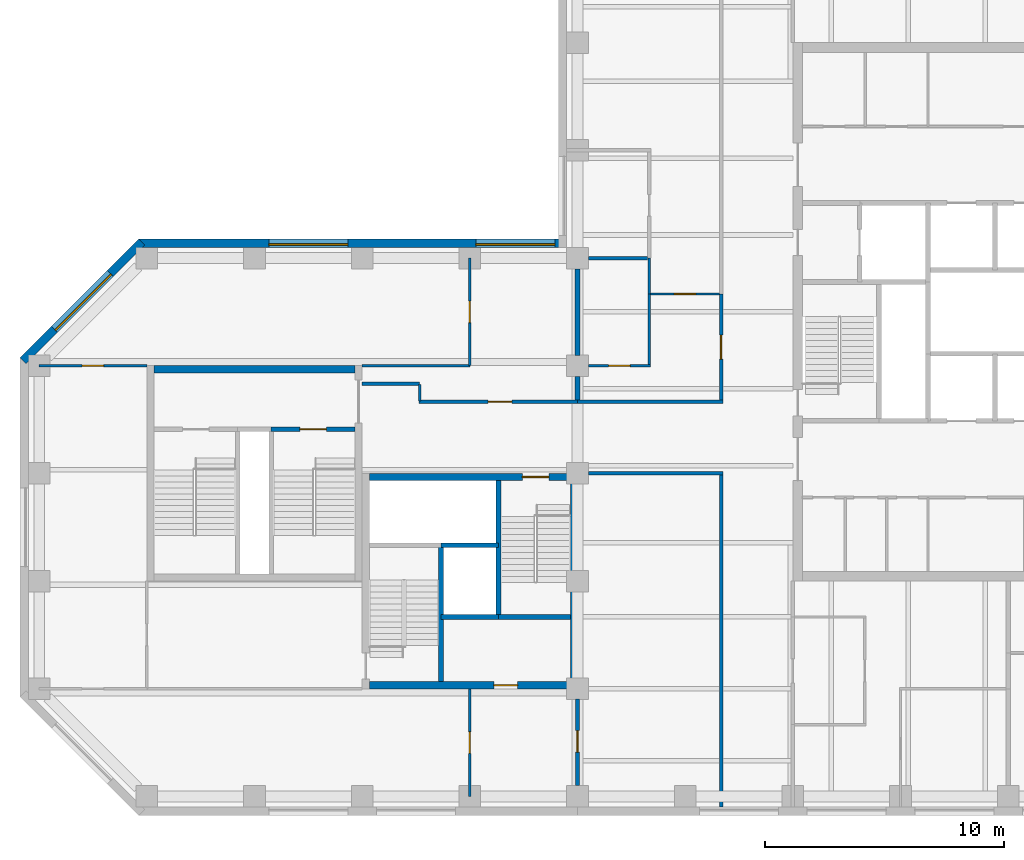
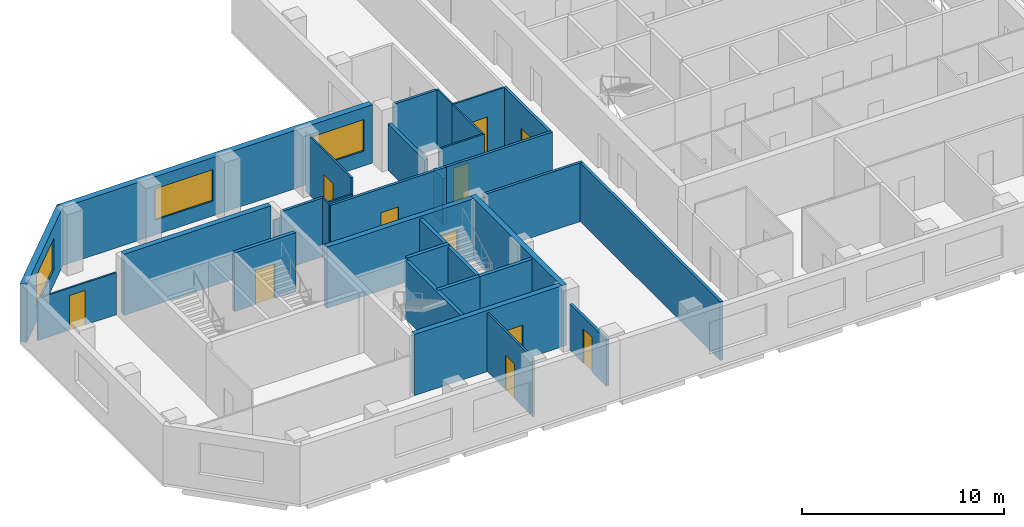
# One storey, part 3 of 10: 31 walls, 11 doors, 3 windows, 14 openings.
"""IFC4 building model written with IfcOpenShell, lengths in metres."""

from ifc_helpers import new_model, si_unit, direction, frame, frame_2d, origin, place, context, subcontext, project, spatial, rectangle, extrude, material, layer, layer_set, constituent, constituent_set, type_object, element, fill, save


model = new_model("IFC4")

# Units and contexts
model_context = context("Model", 3, precision=1e-05, world=origin(), true_north=direction((0.0, 1.0)))
body_context = subcontext(model_context, "Body", "Model", "MODEL_VIEW")
ifc_project = project(units=[si_unit("LENGTHUNIT", "METRE"), si_unit("AREAUNIT", "SQUARE_METRE"), si_unit("VOLUMEUNIT", "CUBIC_METRE"), si_unit("PLANEANGLEUNIT", "RADIAN"), si_unit("MASSUNIT", "GRAM", prefix="KILO")], contexts=[model_context])

# Site, building, storey
site_placement = place(None, origin())
site = spatial("IfcSite", under=ifc_project, at=site_placement, CompositionType="ELEMENT")
building_placement = place(site_placement, origin())
building = spatial("IfcBuilding", under=site, at=building_placement, Name="Quoin Convention Tower", CompositionType="ELEMENT")
storey_placement = place(building_placement, frame((0.0, 0.0, 192.10009765625)))
storey = spatial("IfcBuildingStorey", under=building, at=storey_placement, Name="L50", CompositionType="ELEMENT", Elevation=192.10009765625)

# Wall
ifc_material_1 = material(Name="Plasterboard")
ifc_layer_1 = layer(ifc_material_1, 0.012451171875, Name="Finish")
ifc_material_2 = material(Name="Steel stud framing", Category="steel")
ifc_layer_2 = layer(ifc_material_2, 0.125, Name="Structure")
ifc_layer_3 = layer(ifc_material_1, 0.012451171875, Name="Finish")
ifc_layer_set_1 = layer_set([ifc_layer_1, ifc_layer_2, ifc_layer_3], Name="Steel stud framing")
wall_type_1 = type_object("IfcWallType", Name="Acoustic partition 150", PredefinedType="PARTITIONING", material=ifc_layer_set_1)
wall_1_placement = place(storey_placement, frame((36.449951171875, 63.0, 0.0), z_axis=(0.0, 0.0, 1.0), x_axis=(1.0, 0.0, 0.0)))
element("IfcWall", 1, at=wall_1_placement, inside=storey, type_object=wall_type_1, Name="pw-L50-026", PredefinedType="PARTITIONING", context=body_context, shape_type="SweptSolid", body=[
    extrude(rectangle(XDim=2.47509765625, YDim=0.14990234375, at=frame_2d((1.237548828125, 0.0))), origin(), (0.0, 0.0, 1.0), 3.5498046875),
])

# Wall, openings, windows
ifc_material_3 = material(Name="Brick masonry", Category="masonry")
ifc_layer_4 = layer(ifc_material_3, 0.35009765625)
ifc_layer_set_2 = layer_set([ifc_layer_4], Name="Brick masonry")
wall_type_2 = type_object("IfcWallType", Name="Brick facade wall", PredefinedType="STANDARD", material=ifc_layer_set_2)
wall_2_placement = place(storey_placement, frame((35.550048828125, 63.625, 0.0), z_axis=(0.0, 0.0, 1.0), x_axis=(-1.0, 0.0, 0.0)))
wall_2 = element("IfcWall", 2, at=wall_2_placement, inside=storey, type_object=wall_type_2, Name="fw-L50-36000_63000", PredefinedType="STANDARD", context=body_context, shape_type="SweptSolid", body=[
    extrude(rectangle(XDim=17.88134765625, YDim=0.35009765625, at=frame_2d((8.940673828125, 0.0))), origin(), (0.0, 0.0, 1.0), 3.52490234375),
])
opening_1_placement = place(wall_2_placement, frame((0.5, 0.0, 0.89990234375)))
opening_1 = element("IfcOpeningElement", 3, at=opening_1_placement, cuts=wall_2, Name="Opening W-02", PredefinedType="OPENING", context=body_context, shape_type="SweptSolid", body=[
    extrude(rectangle(XDim=3.300048828125, YDim=1.89990234375, at=frame_2d((1.64990234375, 0.949951171875))), frame((0.0, 0.18505859375, 0.0), z_axis=(0.0, -1.0, 0.0), x_axis=(1.0, 0.0, 0.0)), (0.0, 0.0, 1.0), 0.3701171875),
])
opening_2_placement = place(wall_2_placement, frame((9.14990234375, 0.0, 0.89990234375)))
opening_2 = element("IfcOpeningElement", 4, at=opening_2_placement, cuts=wall_2, Name="Opening W-02", PredefinedType="OPENING", context=body_context, shape_type="SweptSolid", body=[
    extrude(rectangle(XDim=3.300048828125, YDim=1.89990234375, at=frame_2d((1.64990234375, 0.949951171875))), frame((0.0, 0.18505859375, 0.0), z_axis=(0.0, -1.0, 0.0), x_axis=(1.0, 0.0, 0.0)), (0.0, 0.0, 1.0), 0.3701171875),
])
ifc_material_4 = material(Name="Aluminium", Category="aluminium")
ifc_constituent_1 = constituent(ifc_material_4, Name="Frame")
ifc_material_5 = material(Name="Insulated glass", Category="glass")
ifc_constituent_2 = constituent(ifc_material_5, Name="Glazing")
ifc_constituent_set = constituent_set(constituents=[ifc_constituent_1, ifc_constituent_2], Name="Aluminium")
window_type = type_object("IfcWindowType", Name="Office window", PartitioningType="DOUBLE_PANEL_VERTICAL", PredefinedType="WINDOW", material=ifc_constituent_set)
window_1_placement = place(opening_1_placement, origin())
window_1 = element("IfcWindow", 5, at=window_1_placement, inside=storey, type_object=window_type, Name="win-L50-33750_63625", OverallHeight=1.89990234375, OverallWidth=3.300048828125, PartitioningType="SINGLE_PANEL", PredefinedType="WINDOW", context=body_context, shape_type="SweptSolid", body=[
    extrude(rectangle(XDim=3.300048828125, YDim=1.89990234375, at=frame_2d((1.64990234375, 0.949951171875))), frame((0.0, 0.0849609375, 0.0), z_axis=(0.0, -1.0, 0.0), x_axis=(1.0, 0.0, 0.0)), (0.0, 0.0, 1.0), 0.06005859375),
])
fill(opening_1, window_1)
window_2_placement = place(opening_2_placement, origin())
window_2 = element("IfcWindow", 6, at=window_2_placement, inside=storey, type_object=window_type, Name="win-L50-24750_63625", OverallHeight=1.89990234375, OverallWidth=3.300048828125, PartitioningType="SINGLE_PANEL", PredefinedType="WINDOW", context=body_context, shape_type="SweptSolid", body=[
    extrude(rectangle(XDim=3.300048828125, YDim=1.89990234375, at=frame_2d((1.64990234375, 0.949951171875))), frame((0.0, 0.0849609375, 0.0), z_axis=(0.0, -1.0, 0.0), x_axis=(1.0, 0.0, 0.0)), (0.0, 0.0, 1.0), 0.06005859375),
])
fill(opening_2, window_2)

# Wall, opening, window
wall_3_placement = place(storey_placement, frame((17.79248046875, 63.67626953125, 0.0), z_axis=(0.0, 0.0, 1.0), x_axis=(-0.707106781187, -0.707106781187, 0.0)))
wall_3 = element("IfcWall", 7, at=wall_3_placement, inside=storey, type_object=wall_type_2, Name="fw-L50-18000_63000", PredefinedType="STANDARD", context=body_context, shape_type="SweptSolid", body=[
    extrude(rectangle(XDim=7.02685546875, YDim=0.35009765625, at=frame_2d((3.513427734375, 0.0))), origin(), (0.0, 0.0, 1.0), 3.52490234375),
])
opening_3_placement = place(wall_3_placement, frame((1.86328125, 0.0, 0.89990234375)))
opening_3 = element("IfcOpeningElement", 8, at=opening_3_placement, cuts=wall_3, Name="Opening W-02", PredefinedType="OPENING", context=body_context, shape_type="SweptSolid", body=[
    extrude(rectangle(XDim=3.300048828125, YDim=1.89990234375, at=frame_2d((1.64990234375, 0.949951171875))), frame((0.0, 0.18505859375, 0.0), z_axis=(0.0, -1.0, 0.0), x_axis=(1.0, 0.0, 0.0)), (0.0, 0.0, 1.0), 0.3701171875),
])
window_3_placement = place(opening_3_placement, origin())
window_3 = element("IfcWindow", 9, at=window_3_placement, inside=storey, type_object=window_type, Name="win-L50-15308_61192", OverallHeight=1.89990234375, OverallWidth=3.300048828125, PartitioningType="SINGLE_PANEL", PredefinedType="WINDOW", context=body_context, shape_type="SweptSolid", body=[
    extrude(rectangle(XDim=3.300048828125, YDim=1.89990234375, at=frame_2d((1.64990234375, 0.949951171875))), frame((0.0, 0.0849609375, 0.0), z_axis=(0.0, -1.0, 0.0), x_axis=(1.0, 0.0, 0.0)), (0.0, 0.0, 1.0), 0.06005859375),
])
fill(opening_3, window_3)

# Walls
ifc_material_6 = material(Name="Concrete C50", Category="concrete")
ifc_layer_5 = layer(ifc_material_6, 0.199951171875)
ifc_layer_set_3 = layer_set([ifc_layer_5], Name="Concrete C50")
wall_type_3 = type_object("IfcWallType", Name="Core shaft wall", PredefinedType="SOLIDWALL", material=ifc_layer_set_3)
wall_4_placement = place(storey_placement, frame((30.300048828125, 48.0, 0.0), z_axis=(0.0, 0.0, 1.0), x_axis=(1.0, 0.0, 0.0)))
element("IfcWall", 10, at=wall_4_placement, inside=storey, type_object=wall_type_3, Name="cr-P2-L50-h3000_3300", PredefinedType="SOLIDWALL", context=body_context, shape_type="SweptSolid", body=[
    extrude(rectangle(XDim=2.39990234375, YDim=0.199951171875, at=frame_2d((1.199951171875, 0.0))), origin(), (0.0, 0.0, 1.0), 3.5498046875),
])
wall_5_placement = place(storey_placement, frame((32.699951171875, 48.0, 0.0), z_axis=(0.0, 0.0, 1.0), x_axis=(1.0, 0.0, 0.0)))
element("IfcWall", 11, at=wall_5_placement, inside=storey, type_object=wall_type_3, Name="cr-P2-L50-h3000_5700", PredefinedType="SOLIDWALL", context=body_context, shape_type="SweptSolid", body=[
    extrude(rectangle(XDim=3.0, YDim=0.199951171875, at=frame_2d((1.5, 0.0))), origin(), (0.0, 0.0, 1.0), 3.5498046875),
])
for number, where, z_axis, x_axis, name in (
    (12, (30.300048828125, 45.300048828125, 0.0), (0.0, 0.0, 1.0), (0.0, 1.0, 0.0), "cr-P2-L50-v3300_300"),
    (13, (32.699951171875, 48.0, 0.0), (0.0, 0.0, 1.0), (0.0, 1.0, 0.0), "cr-P2-L50-v5700_3000"),
):
    element("IfcWall", number, at=place(storey_placement, frame(where, z_axis=z_axis, x_axis=x_axis)), inside=storey, type_object=wall_type_3, Name=name, PredefinedType="SOLIDWALL", context=body_context, shape_type="SweptSolid", body=[
        extrude(rectangle(XDim=5.699951171875, YDim=0.199951171875, at=frame_2d((2.85009765625, 0.0))), origin(), (0.0, 0.0, 1.0), 3.5498046875),
    ])

# Wall, opening, door
wall_6_placement = place(storey_placement, frame((23.199951171875, 55.85009765625, 0.0), z_axis=(0.0, 0.0, 1.0), x_axis=(1.0, 0.0, 0.0)))
wall_6 = element("IfcWall", 14, at=wall_6_placement, inside=storey, type_object=wall_type_3, Name="cr-P6-L50-h6350_5200", PredefinedType="SOLIDWALL", context=body_context, shape_type="SweptSolid", body=[
    extrude(rectangle(XDim=3.5, YDim=0.199951171875, at=frame_2d((1.75, 0.0))), origin(), (0.0, 0.0, 1.0), 3.5498046875),
])
opening_4_placement = place(wall_6_placement, frame((1.199951171875, 0.0, 0.0)))
opening_4 = element("IfcOpeningElement", 15, at=opening_4_placement, cuts=wall_6, Name="Opening SD12", PredefinedType="OPENING", context=body_context, shape_type="SweptSolid", body=[
    extrude(rectangle(XDim=1.10009765625, YDim=2.10009765625, at=frame_2d((0.550048828125, 1.050048828125))), frame((0.0, 0.10986328125, 0.0), z_axis=(0.0, -1.0, 0.0), x_axis=(1.0, 0.0, 0.0)), (0.0, 0.0, 1.0), 0.219970703125),
])
ifc_material_7 = material(Name="Steel door leaf", Category="steel")
door_type_1 = type_object("IfcDoorType", Name="Stair door 1100 x 2100", OperationType="SINGLE_SWING_RIGHT", PredefinedType="DOOR", material=ifc_material_7)
door_1_placement = place(opening_4_placement, origin())
door_1 = element("IfcDoor", 16, at=door_1_placement, inside=storey, type_object=door_type_1, Name="cd-P6-L50-SB-R2-SD12", OperationType="SINGLE_SWING_RIGHT", OverallHeight=2.10009765625, OverallWidth=1.10009765625, PredefinedType="DOOR", context=body_context, shape_type="SweptSolid", body=[
    extrude(rectangle(XDim=1.10009765625, YDim=2.10009765625, at=frame_2d((0.550048828125, 1.050048828125))), frame((0.0, 0.02490234375, 0.0), z_axis=(0.0, -1.0, 0.0), x_axis=(1.0, 0.0, 0.0)), (0.0, 0.0, 1.0), 0.050048828125),
])
fill(opening_4, door_1)

# Walls
ifc_layer_6 = layer(ifc_material_6, 0.199951171875)
ifc_layer_set_4 = layer_set([ifc_layer_6], Name="Concrete C50")
wall_type_4 = type_object("IfcWallType", Name="Core shaft wall to the floor level over", PredefinedType="SOLIDWALL", material=ifc_layer_set_4)
wall_7_placement = place(storey_placement, frame((30.300048828125, 51.0, 0.0), z_axis=(0.0, 0.0, 1.0), x_axis=(1.0, 0.0, 0.0)))
element("IfcWall", 17, at=wall_7_placement, inside=storey, type_object=wall_type_4, Name="cr-P2-L50-h6000_3300", PredefinedType="SOLIDWALL", context=body_context, shape_type="SweptSolid", body=[
    extrude(rectangle(XDim=2.39990234375, YDim=0.199951171875, at=frame_2d((1.199951171875, 0.0))), origin(), (0.0, 0.0, 1.0), 3.699951171875),
])
ifc_layer_7 = layer(ifc_material_1, 0.012451171875, Name="Finish")
ifc_layer_8 = layer(ifc_material_2, 0.125, Name="Structure")
ifc_layer_9 = layer(ifc_material_1, 0.012451171875, Name="Finish")
ifc_layer_set_5 = layer_set([ifc_layer_7, ifc_layer_8, ifc_layer_9], Name="Steel stud framing")
wall_type_5 = type_object("IfcWallType", Name="Corridor wall 150", PredefinedType="PARTITIONING", material=ifc_layer_set_5)
wall_8_placement = place(storey_placement, frame((36.449951171875, 54.0, 0.0), z_axis=(0.0, 0.0, 1.0), x_axis=(1.0, 0.0, 0.0)))
element("IfcWall", 18, at=wall_8_placement, inside=storey, type_object=wall_type_5, Name="pw-L50-017", PredefinedType="PARTITIONING", context=body_context, shape_type="SweptSolid", body=[
    extrude(rectangle(XDim=5.625, YDim=0.14990234375, at=frame_2d((2.8125, 0.0))), origin(), (0.0, 0.0, 1.0), 3.5498046875),
])

# Wall, opening, door
wall_9_placement = place(storey_placement, frame((29.3798828125, 57.0, 0.0), z_axis=(0.0, 0.0, 1.0), x_axis=(1.0, 0.0, 0.0)))
wall_9 = element("IfcWall", 19, at=wall_9_placement, inside=storey, type_object=wall_type_5, Name="pw-L50-020", PredefinedType="PARTITIONING", context=body_context, shape_type="SweptSolid", body=[
    extrude(rectangle(XDim=6.6201171875, YDim=0.14990234375, at=frame_2d((3.31005859375, 0.0))), origin(), (0.0, 0.0, 1.0), 3.5498046875),
])
opening_5_placement = place(wall_9_placement, frame((2.8798828125, 0.0, 0.0)))
opening_5 = element("IfcOpeningElement", 20, at=opening_5_placement, cuts=wall_9, Name="Opening DOH7-06", PredefinedType="OPENING", context=body_context, shape_type="SweptSolid", body=[
    extrude(rectangle(XDim=1.0, YDim=2.10009765625, at=frame_2d((0.5, 1.050048828125))), frame((0.0, 0.0849609375, 0.0), z_axis=(0.0, -1.0, 0.0), x_axis=(1.0, 0.0, 0.0)), (0.0, 0.0, 1.0), 0.169921875),
])
door_type_2 = type_object("IfcDoorType", Name="Tenancy entrance door 1000 x 2100", OperationType="DOUBLE_DOOR_SINGLE_SWING", PredefinedType="DOOR", material=ifc_material_7)
door_2_placement = place(opening_5_placement, origin())
door_2 = element("IfcDoor", 21, at=door_2_placement, inside=storey, type_object=door_type_2, Name="dr-L50-w01", OperationType="DOUBLE_DOOR_SINGLE_SWING", OverallHeight=2.10009765625, OverallWidth=1.0, PredefinedType="DOOR", context=body_context, shape_type="SweptSolid", body=[
    extrude(rectangle(XDim=1.0, YDim=2.10009765625, at=frame_2d((0.5, 1.050048828125))), frame((0.0, 0.02490234375, 0.0), z_axis=(0.0, -1.0, 0.0), x_axis=(1.0, 0.0, 0.0)), (0.0, 0.0, 1.0), 0.050048828125),
])
fill(opening_5, door_2)

# Walls
wall_10_placement = place(storey_placement, frame((36.0, 57.0, 0.0), z_axis=(0.0, 0.0, 1.0), x_axis=(1.0, 0.0, 0.0)))
element("IfcWall", 22, at=wall_10_placement, inside=storey, type_object=wall_type_5, Name="pw-L50-021", PredefinedType="PARTITIONING", context=body_context, shape_type="SweptSolid", body=[
    extrude(rectangle(XDim=6.074951171875, YDim=0.14990234375, at=frame_2d((3.03759765625, 0.0))), origin(), (0.0, 0.0, 1.0), 3.5498046875),
])
wall_11_placement = place(storey_placement, frame((42.0, 40.050048828125, 0.0), z_axis=(0.0, 0.0, 1.0), x_axis=(0.0, 1.0, 0.0)))
element("IfcWall", 23, at=wall_11_placement, inside=storey, type_object=wall_type_5, Name="pw-L50-039", PredefinedType="PARTITIONING", context=body_context, shape_type="SweptSolid", body=[
    extrude(rectangle(XDim=13.875, YDim=0.14990234375, at=frame_2d((6.9375, 0.0))), origin(), (0.0, 0.0, 1.0), 3.5498046875),
])

# Wall, opening, door
wall_12_placement = place(storey_placement, frame((42.0, 57.074951171875, 0.0), z_axis=(0.0, 0.0, 1.0), x_axis=(0.0, 1.0, 0.0)))
wall_12 = element("IfcWall", 24, at=wall_12_placement, inside=storey, type_object=wall_type_5, Name="pw-L50-068", PredefinedType="PARTITIONING", context=body_context, shape_type="SweptSolid", body=[
    extrude(rectangle(XDim=4.425048828125, YDim=0.14990234375, at=frame_2d((2.21240234375, 0.0))), origin(), (0.0, 0.0, 1.0), 3.5498046875),
])
opening_6_placement = place(wall_12_placement, frame((1.699951171875, 0.0, 0.0)))
opening_6 = element("IfcOpeningElement", 25, at=opening_6_placement, cuts=wall_12, Name="Opening DOH7-21", PredefinedType="OPENING", context=body_context, shape_type="SweptSolid", body=[
    extrude(rectangle(XDim=1.0, YDim=2.10009765625, at=frame_2d((0.5, 1.050048828125))), frame((0.0, 0.0849609375, 0.0), z_axis=(0.0, -1.0, 0.0), x_axis=(1.0, 0.0, 0.0)), (0.0, 0.0, 1.0), 0.169921875),
])
door_3_placement = place(opening_6_placement, origin())
door_3 = element("IfcDoor", 26, at=door_3_placement, inside=storey, type_object=door_type_2, Name="dr-L50-07", OperationType="DOUBLE_DOOR_SINGLE_SWING", OverallHeight=2.10009765625, OverallWidth=1.0, PredefinedType="DOOR", context=body_context, shape_type="SweptSolid", body=[
    extrude(rectangle(XDim=1.0, YDim=2.10009765625, at=frame_2d((0.5, 1.050048828125))), frame((0.0, 0.02490234375, 0.0), z_axis=(0.0, -1.0, 0.0), x_axis=(1.0, 0.0, 0.0)), (0.0, 0.0, 1.0), 0.050048828125),
])
fill(opening_6, door_3)

# Wall
wall_13_placement = place(storey_placement, frame((27.0, 57.75, 0.0), z_axis=(0.0, 0.0, 1.0), x_axis=(1.0, 0.0, 0.0)))
element("IfcWall", 27, at=wall_13_placement, inside=storey, type_object=wall_type_5, Name="pw-L50-w08", PredefinedType="PARTITIONING", context=body_context, shape_type="SweptSolid", body=[
    extrude(rectangle(XDim=2.39990234375, YDim=0.14990234375, at=frame_2d((1.199951171875, 0.0))), origin(), (0.0, 0.0, 1.0), 3.5498046875),
])

# Wall, opening, door
ifc_layer_10 = layer(ifc_material_1, 0.012451171875, Name="Finish")
ifc_layer_11 = layer(ifc_material_2, 0.125, Name="Structure")
ifc_layer_12 = layer(ifc_material_1, 0.012451171875, Name="Finish")
ifc_layer_set_6 = layer_set([ifc_layer_10, ifc_layer_11, ifc_layer_12], Name="Steel stud framing")
wall_type_6 = type_object("IfcWallType", Name="Corridor wall 150 under beam 750", PredefinedType="PARTITIONING", material=ifc_layer_set_6)
wall_14_placement = place(storey_placement, frame((36.0, 40.949951171875, 0.0), z_axis=(0.0, 0.0, 1.0), x_axis=(0.0, 1.0, 0.0)))
wall_14 = element("IfcWall", 28, at=wall_14_placement, inside=storey, type_object=wall_type_6, Name="pw-L50-047", PredefinedType="PARTITIONING", context=body_context, shape_type="SweptSolid", body=[
    extrude(rectangle(XDim=3.630126953125, YDim=0.14990234375, at=frame_2d((1.81494140625, 0.0))), origin(), (0.0, 0.0, 1.0), 2.7998046875),
])
opening_7_placement = place(wall_14_placement, frame((1.39990234375, 0.0, 0.0)))
opening_7 = element("IfcOpeningElement", 29, at=opening_7_placement, cuts=wall_14, Name="Opening DOH7-14", PredefinedType="OPENING", context=body_context, shape_type="SweptSolid", body=[
    extrude(rectangle(XDim=0.89990234375, YDim=2.10009765625, at=frame_2d((0.449951171875, 1.050048828125))), frame((0.0, 0.0849609375, 0.0), z_axis=(0.0, -1.0, 0.0), x_axis=(1.0, 0.0, 0.0)), (0.0, 0.0, 1.0), 0.169921875),
])
door_type_3 = type_object("IfcDoorType", Name="Office door 900 x 2100", OperationType="SINGLE_SWING_RIGHT", PredefinedType="DOOR", material=ifc_material_7)
door_4_placement = place(opening_7_placement, frame((0.89990234375, 0.0, 0.0), z_axis=(0.0, 0.0, 1.0), x_axis=(-1.0, 0.0, 0.0)))
door_4 = element("IfcDoor", 30, at=door_4_placement, inside=storey, type_object=door_type_3, Name="dr-L50-01", OperationType="SINGLE_SWING_LEFT", OverallHeight=2.10009765625, OverallWidth=0.89990234375, PredefinedType="DOOR", context=body_context, shape_type="SweptSolid", body=[
    extrude(rectangle(XDim=0.89990234375, YDim=2.10009765625, at=frame_2d((0.449951171875, 1.050048828125))), frame((0.0, 0.02490234375, 0.0), z_axis=(0.0, -1.0, 0.0), x_axis=(1.0, 0.0, 0.0)), (0.0, 0.0, 1.0), 0.050048828125),
])
fill(opening_7, door_4)

ifc_layer_13 = layer(ifc_material_6, 0.300048828125)
ifc_layer_set_7 = layer_set([ifc_layer_13], Name="Concrete C50")
wall_type_7 = type_object("IfcWallType", Name="RC CORE WALL 300 C50", PredefinedType="SHEAR", material=ifc_layer_set_7)
wall_15_placement = place(storey_placement, frame((27.300048828125, 45.14990234375, 0.0), z_axis=(0.0, 0.0, 1.0), x_axis=(1.0, 0.0, 0.0)))
wall_15 = element("IfcWall", 31, at=wall_15_placement, inside=storey, type_object=wall_type_7, Name="cwl-P2-L50-S", PredefinedType="SHEAR", context=body_context, shape_type="SweptSolid", body=[
    extrude(rectangle(XDim=8.39990234375, YDim=0.300048828125, at=frame_2d((4.199951171875, 0.0))), origin(), (0.0, 0.0, 1.0), 3.699951171875),
])
opening_8_placement = place(wall_15_placement, frame((5.199951171875, 0.0, 0.0)))
opening_8 = element("IfcOpeningElement", 32, at=opening_8_placement, cuts=wall_15, Name="Opening DCV5-51", PredefinedType="OPENING", context=body_context, shape_type="SweptSolid", body=[
    extrude(rectangle(XDim=1.0, YDim=2.10009765625, at=frame_2d((0.5, 1.050048828125))), frame((0.0, 0.159912109375, 0.0), z_axis=(0.0, -1.0, 0.0), x_axis=(1.0, 0.0, 0.0)), (0.0, 0.0, 1.0), 0.320068359375),
])
door_type_4 = type_object("IfcDoorType", Name="Service door 1000 x 2100", OperationType="SINGLE_SWING_LEFT", PredefinedType="DOOR", material=ifc_material_7)
door_5_placement = place(opening_8_placement, frame((1.0, 0.0, 0.0), z_axis=(0.0, 0.0, 1.0), x_axis=(-1.0, 0.0, 0.0)))
door_5 = element("IfcDoor", 33, at=door_5_placement, inside=storey, type_object=door_type_4, Name="cd-P2-L50-R2-S", OperationType="SINGLE_SWING_RIGHT", OverallHeight=2.10009765625, OverallWidth=1.0, PredefinedType="DOOR", context=body_context, shape_type="SweptSolid", body=[
    extrude(rectangle(XDim=1.0, YDim=2.10009765625, at=frame_2d((0.5, 1.050048828125))), frame((0.0, 0.02490234375, 0.0), z_axis=(0.0, -1.0, 0.0), x_axis=(1.0, 0.0, 0.0)), (0.0, 0.0, 1.0), 0.050048828125),
])
fill(opening_8, door_5)

wall_16_placement = place(storey_placement, frame((27.300048828125, 53.85009765625, 0.0), z_axis=(0.0, 0.0, 1.0), x_axis=(1.0, 0.0, 0.0)))
wall_16 = element("IfcWall", 34, at=wall_16_placement, inside=storey, type_object=wall_type_7, Name="cwl-P2-L50-N", PredefinedType="SHEAR", context=body_context, shape_type="SweptSolid", body=[
    extrude(rectangle(XDim=8.39990234375, YDim=0.300048828125, at=frame_2d((4.199951171875, 0.0))), origin(), (0.0, 0.0, 1.0), 3.699951171875),
])
opening_9_placement = place(wall_16_placement, frame((6.39990234375, 0.0, 0.0)))
opening_9 = element("IfcOpeningElement", 35, at=opening_9_placement, cuts=wall_16, Name="Opening SD4", PredefinedType="OPENING", context=body_context, shape_type="SweptSolid", body=[
    extrude(rectangle(XDim=1.10009765625, YDim=2.10009765625, at=frame_2d((0.550048828125, 1.050048828125))), frame((0.0, 0.159912109375, 0.0), z_axis=(0.0, -1.0, 0.0), x_axis=(1.0, 0.0, 0.0)), (0.0, 0.0, 1.0), 0.320068359375),
])
door_6_placement = place(opening_9_placement, frame((1.10009765625, 0.0, 0.0), z_axis=(0.0, 0.0, 1.0), x_axis=(-1.0, 0.0, 0.0)))
door_6 = element("IfcDoor", 36, at=door_6_placement, inside=storey, type_object=door_type_1, Name="cd-P2-L50-SB-N", OperationType="SINGLE_SWING_LEFT", OverallHeight=2.10009765625, OverallWidth=1.10009765625, PredefinedType="DOOR", context=body_context, shape_type="SweptSolid", body=[
    extrude(rectangle(XDim=1.10009765625, YDim=2.10009765625, at=frame_2d((0.550048828125, 1.050048828125))), frame((0.0, 0.02490234375, 0.0), z_axis=(0.0, -1.0, 0.0), x_axis=(1.0, 0.0, 0.0)), (0.0, 0.0, 1.0), 0.050048828125),
])
fill(opening_9, door_6)

# Walls
wall_17_placement = place(storey_placement, frame((35.85009765625, 45.0, 0.0), z_axis=(0.0, 0.0, 1.0), x_axis=(0.0, 1.0, 0.0)))
element("IfcWall", 37, at=wall_17_placement, inside=storey, type_object=wall_type_7, Name="cwl-P2-L50-E", PredefinedType="SHEAR", context=body_context, shape_type="SweptSolid", body=[
    extrude(rectangle(XDim=9.0, YDim=0.300048828125, at=frame_2d((4.5, 0.0))), origin(), (0.0, 0.0, 1.0), 3.699951171875),
])
wall_18_placement = place(storey_placement, frame((18.300048828125, 58.35009765625, 0.0), z_axis=(0.0, 0.0, 1.0), x_axis=(1.0, 0.0, 0.0)))
element("IfcWall", 38, at=wall_18_placement, inside=storey, type_object=wall_type_7, Name="cwl-P6-L50-N", PredefinedType="SHEAR", context=body_context, shape_type="SweptSolid", body=[
    extrude(rectangle(XDim=8.39990234375, YDim=0.300048828125, at=frame_2d((4.199951171875, 0.0))), origin(), (0.0, 0.0, 1.0), 3.699951171875),
])

# Wall, opening, door
ifc_layer_14 = layer(ifc_material_1, 0.012451171875, Name="Finish")
ifc_layer_15 = layer(ifc_material_2, 0.074951171875, Name="Structure")
ifc_layer_16 = layer(ifc_material_1, 0.012451171875, Name="Finish")
ifc_layer_set_8 = layer_set([ifc_layer_14, ifc_layer_15, ifc_layer_16], Name="Steel stud framing")
wall_type_8 = type_object("IfcWallType", Name="Stud partition 100", PredefinedType="PARTITIONING", material=ifc_layer_set_8)
wall_19_placement = place(storey_placement, frame((36.449951171875, 58.5, 0.0), z_axis=(0.0, 0.0, 1.0), x_axis=(1.0, 0.0, 0.0)))
wall_19 = element("IfcWall", 39, at=wall_19_placement, inside=storey, type_object=wall_type_8, Name="pw-L50-022", PredefinedType="PARTITIONING", context=body_context, shape_type="SweptSolid", body=[
    extrude(rectangle(XDim=2.60009765625, YDim=0.10009765625, at=frame_2d((1.300048828125, 0.0))), origin(), (0.0, 0.0, 1.0), 3.5498046875),
])
opening_10_placement = place(wall_19_placement, frame((0.85009765625, 0.0, 0.0)))
opening_10 = element("IfcOpeningElement", 40, at=opening_10_placement, cuts=wall_19, Name="Opening DOH7-07", PredefinedType="OPENING", context=body_context, shape_type="SweptSolid", body=[
    extrude(rectangle(XDim=0.89990234375, YDim=2.10009765625, at=frame_2d((0.449951171875, 1.050048828125))), frame((0.0, 0.06005859375, 0.0), z_axis=(0.0, -1.0, 0.0), x_axis=(1.0, 0.0, 0.0)), (0.0, 0.0, 1.0), 0.1201171875),
])
door_7_placement = place(opening_10_placement, frame((0.89990234375, 0.0, 0.0), z_axis=(0.0, 0.0, 1.0), x_axis=(-1.0, 0.0, 0.0)))
door_7 = element("IfcDoor", 41, at=door_7_placement, inside=storey, type_object=door_type_3, Name="dr-L50-09", OperationType="SINGLE_SWING_LEFT", OverallHeight=2.10009765625, OverallWidth=0.89990234375, PredefinedType="DOOR", context=body_context, shape_type="SweptSolid", body=[
    extrude(rectangle(XDim=0.89990234375, YDim=2.10009765625, at=frame_2d((0.449951171875, 1.050048828125))), frame((0.0, 0.02490234375, 0.0), z_axis=(0.0, -1.0, 0.0), x_axis=(1.0, 0.0, 0.0)), (0.0, 0.0, 1.0), 0.050048828125),
])
fill(opening_10, door_7)

wall_20_placement = place(storey_placement, frame((39.050048828125, 61.5, 0.0), z_axis=(0.0, 0.0, 1.0), x_axis=(1.0, 0.0, 0.0)))
wall_20 = element("IfcWall", 42, at=wall_20_placement, inside=storey, type_object=wall_type_8, Name="pw-L50-025", PredefinedType="PARTITIONING", context=body_context, shape_type="SweptSolid", body=[
    extrude(rectangle(XDim=2.875, YDim=0.10009765625, at=frame_2d((1.4375, 0.0))), origin(), (0.0, 0.0, 1.0), 3.5498046875),
])
opening_11_placement = place(wall_20_placement, frame((1.0, 0.0, 0.0)))
opening_11 = element("IfcOpeningElement", 43, at=opening_11_placement, cuts=wall_20, Name="Opening DOH7-08", PredefinedType="OPENING", context=body_context, shape_type="SweptSolid", body=[
    extrude(rectangle(XDim=0.89990234375, YDim=2.10009765625, at=frame_2d((0.449951171875, 1.050048828125))), frame((0.0, 0.06005859375, 0.0), z_axis=(0.0, -1.0, 0.0), x_axis=(1.0, 0.0, 0.0)), (0.0, 0.0, 1.0), 0.1201171875),
])
door_8_placement = place(opening_11_placement, origin())
door_8 = element("IfcDoor", 44, at=door_8_placement, inside=storey, type_object=door_type_3, Name="dr-L50-08", OperationType="SINGLE_SWING_RIGHT", OverallHeight=2.10009765625, OverallWidth=0.89990234375, PredefinedType="DOOR", context=body_context, shape_type="SweptSolid", body=[
    extrude(rectangle(XDim=0.89990234375, YDim=2.10009765625, at=frame_2d((0.449951171875, 1.050048828125))), frame((0.0, 0.02490234375, 0.0), z_axis=(0.0, -1.0, 0.0), x_axis=(1.0, 0.0, 0.0)), (0.0, 0.0, 1.0), 0.050048828125),
])
fill(opening_11, door_8)

# Walls
wall_21_placement = place(storey_placement, frame((39.0, 58.550048828125, 0.0), z_axis=(0.0, 0.0, 1.0), x_axis=(0.0, 1.0, 0.0)))
element("IfcWall", 45, at=wall_21_placement, inside=storey, type_object=wall_type_8, Name="pw-L50-070", PredefinedType="PARTITIONING", context=body_context, shape_type="SweptSolid", body=[
    extrude(rectangle(XDim=2.949951171875, YDim=0.10009765625, at=frame_2d((1.47509765625, 0.0))), origin(), (0.0, 0.0, 1.0), 3.5498046875),
])
wall_22_placement = place(storey_placement, frame((39.0, 61.5, 0.0), z_axis=(0.0, 0.0, 1.0), x_axis=(0.0, 1.0, 0.0)))
element("IfcWall", 46, at=wall_22_placement, inside=storey, type_object=wall_type_8, Name="pw-L50-074", PredefinedType="PARTITIONING", context=body_context, shape_type="SweptSolid", body=[
    extrude(rectangle(XDim=1.5, YDim=0.10009765625, at=frame_2d((0.75, 0.0))), origin(), (0.0, 0.0, 1.0), 3.5498046875),
])

# Wall, opening, door
wall_23_placement = place(storey_placement, frame((31.5, 63.0, 0.0), z_axis=(0.0, 0.0, 1.0), x_axis=(0.0, -1.0, 0.0)))
wall_23 = element("IfcWall", 47, at=wall_23_placement, inside=storey, type_object=wall_type_8, Name="pw-L50-w01", PredefinedType="PARTITIONING", context=body_context, shape_type="SweptSolid", body=[
    extrude(rectangle(XDim=4.5, YDim=0.10009765625, at=frame_2d((2.25, 0.0))), origin(), (0.0, 0.0, 1.0), 3.5498046875),
])
opening_12_placement = place(wall_23_placement, frame((1.800048828125, 0.0, 0.0)))
opening_12 = element("IfcOpeningElement", 48, at=opening_12_placement, cuts=wall_23, Name="Opening DOH7-30", PredefinedType="OPENING", context=body_context, shape_type="SweptSolid", body=[
    extrude(rectangle(XDim=0.89990234375, YDim=2.10009765625, at=frame_2d((0.449951171875, 1.050048828125))), frame((0.0, 0.06005859375, 0.0), z_axis=(0.0, -1.0, 0.0), x_axis=(1.0, 0.0, 0.0)), (0.0, 0.0, 1.0), 0.1201171875),
])
door_9_placement = place(opening_12_placement, frame((0.89990234375, 0.0, 0.0), z_axis=(0.0, 0.0, 1.0), x_axis=(-1.0, 0.0, 0.0)))
door_9 = element("IfcDoor", 49, at=door_9_placement, inside=storey, type_object=door_type_3, Name="dr-L50-w02", OperationType="SINGLE_SWING_LEFT", OverallHeight=2.10009765625, OverallWidth=0.89990234375, PredefinedType="DOOR", context=body_context, shape_type="SweptSolid", body=[
    extrude(rectangle(XDim=0.89990234375, YDim=2.10009765625, at=frame_2d((0.449951171875, 1.050048828125))), frame((0.0, 0.02490234375, 0.0), z_axis=(0.0, -1.0, 0.0), x_axis=(1.0, 0.0, 0.0)), (0.0, 0.0, 1.0), 0.050048828125),
])
fill(opening_12, door_9)

wall_24_placement = place(storey_placement, frame((31.5, 45.0, 0.0), z_axis=(0.0, 0.0, 1.0), x_axis=(0.0, -1.0, 0.0)))
wall_24 = element("IfcWall", 50, at=wall_24_placement, inside=storey, type_object=wall_type_8, Name="pw-L50-w07", PredefinedType="PARTITIONING", context=body_context, shape_type="SweptSolid", body=[
    extrude(rectangle(XDim=4.5, YDim=0.10009765625, at=frame_2d((2.25, 0.0))), origin(), (0.0, 0.0, 1.0), 3.5498046875),
])
opening_13_placement = place(wall_24_placement, frame((1.800048828125, 0.0, 0.0)))
opening_13 = element("IfcOpeningElement", 51, at=opening_13_placement, cuts=wall_24, Name="Opening DOH7-34", PredefinedType="OPENING", context=body_context, shape_type="SweptSolid", body=[
    extrude(rectangle(XDim=0.89990234375, YDim=2.10009765625, at=frame_2d((0.449951171875, 1.050048828125))), frame((0.0, 0.06005859375, 0.0), z_axis=(0.0, -1.0, 0.0), x_axis=(1.0, 0.0, 0.0)), (0.0, 0.0, 1.0), 0.1201171875),
])
door_10_placement = place(opening_13_placement, frame((0.89990234375, 0.0, 0.0), z_axis=(0.0, 0.0, 1.0), x_axis=(-1.0, 0.0, 0.0)))
door_10 = element("IfcDoor", 52, at=door_10_placement, inside=storey, type_object=door_type_3, Name="dr-L50-w06", OperationType="SINGLE_SWING_RIGHT", OverallHeight=2.10009765625, OverallWidth=0.89990234375, PredefinedType="DOOR", context=body_context, shape_type="SweptSolid", body=[
    extrude(rectangle(XDim=0.89990234375, YDim=2.10009765625, at=frame_2d((0.449951171875, 1.050048828125))), frame((0.0, 0.02490234375, 0.0), z_axis=(0.0, -1.0, 0.0), x_axis=(1.0, 0.0, 0.0)), (0.0, 0.0, 1.0), 0.050048828125),
])
fill(opening_13, door_10)

# Walls
wall_25_placement = place(storey_placement, frame((29.39990234375, 57.715087890625, 0.0), z_axis=(0.0, 0.0, 1.0), x_axis=(0.0, -1.0, 0.0)))
element("IfcWall", 53, at=wall_25_placement, inside=storey, type_object=wall_type_8, Name="pw-L50-w09", PredefinedType="PARTITIONING", context=body_context, shape_type="SweptSolid", body=[
    extrude(rectangle(XDim=0.68017578125, YDim=0.10009765625, at=frame_2d((0.340087890625, 0.0))), origin(), (0.0, 0.0, 1.0), 3.5498046875),
])
ifc_layer_17 = layer(ifc_material_1, 0.012451171875, Name="Finish")
ifc_layer_18 = layer(ifc_material_2, 0.074951171875, Name="Structure")
ifc_layer_19 = layer(ifc_material_1, 0.012451171875, Name="Finish")
ifc_layer_set_9 = layer_set([ifc_layer_17, ifc_layer_18, ifc_layer_19], Name="Steel stud framing")
wall_type_9 = type_object("IfcWallType", Name="Stud partition 100 under beam 1000", PredefinedType="PARTITIONING", material=ifc_layer_set_9)
wall_26_placement = place(storey_placement, frame((31.5, 58.5, 0.0), z_axis=(0.0, 0.0, 1.0), x_axis=(-1.0, 0.0, 0.0)))
element("IfcWall", 54, at=wall_26_placement, inside=storey, type_object=wall_type_9, Name="pw-L50-w02", PredefinedType="PARTITIONING", context=body_context, shape_type="SweptSolid", body=[
    extrude(rectangle(XDim=4.5, YDim=0.10009765625, at=frame_2d((2.25, 0.0))), origin(), (0.0, 0.0, 1.0), 2.5498046875),
])

# Wall, opening, door
wall_27_placement = place(storey_placement, frame((13.5, 58.5, 0.0), z_axis=(0.0, 0.0, 1.0), x_axis=(1.0, 0.0, 0.0)))
wall_27 = element("IfcWall", 55, at=wall_27_placement, inside=storey, type_object=wall_type_9, Name="pw-L50-w03", PredefinedType="PARTITIONING", context=body_context, shape_type="SweptSolid", body=[
    extrude(rectangle(XDim=4.5, YDim=0.10009765625, at=frame_2d((2.25, 0.0))), origin(), (0.0, 0.0, 1.0), 2.5498046875),
])
opening_14_placement = place(wall_27_placement, frame((1.800048828125, 0.0, 0.0)))
opening_14 = element("IfcOpeningElement", 56, at=opening_14_placement, cuts=wall_27, Name="Opening DOH7-31", PredefinedType="OPENING", context=body_context, shape_type="SweptSolid", body=[
    extrude(rectangle(XDim=0.89990234375, YDim=2.10009765625, at=frame_2d((0.449951171875, 1.050048828125))), frame((0.0, 0.06005859375, 0.0), z_axis=(0.0, -1.0, 0.0), x_axis=(1.0, 0.0, 0.0)), (0.0, 0.0, 1.0), 0.1201171875),
])
door_11_placement = place(opening_14_placement, origin())
door_11 = element("IfcDoor", 57, at=door_11_placement, inside=storey, type_object=door_type_3, Name="dr-L50-w03", OperationType="SINGLE_SWING_RIGHT", OverallHeight=2.10009765625, OverallWidth=0.89990234375, PredefinedType="DOOR", context=body_context, shape_type="SweptSolid", body=[
    extrude(rectangle(XDim=0.89990234375, YDim=2.10009765625, at=frame_2d((0.449951171875, 1.050048828125))), frame((0.0, 0.02490234375, 0.0), z_axis=(0.0, -1.0, 0.0), x_axis=(1.0, 0.0, 0.0)), (0.0, 0.0, 1.0), 0.050048828125),
])
fill(opening_14, door_11)

# Walls
ifc_layer_20 = layer(ifc_material_1, 0.012451171875, Name="Finish")
ifc_layer_21 = layer(ifc_material_2, 0.175048828125, Name="Structure")
ifc_layer_22 = layer(ifc_material_1, 0.012451171875, Name="Finish")
ifc_layer_set_10 = layer_set([ifc_layer_20, ifc_layer_21, ifc_layer_22], Name="Steel stud framing")
wall_type_10 = type_object("IfcWallType", Name="Tenancy demising wall 200 under beam 750", PredefinedType="PARTITIONING", material=ifc_layer_set_10)
wall_28_placement = place(storey_placement, frame((36.0, 57.074951171875, 0.0), z_axis=(0.0, 0.0, 1.0), x_axis=(0.0, 1.0, 0.0)))
element("IfcWall", 58, at=wall_28_placement, inside=storey, type_object=wall_type_10, Name="pw-L50-067", PredefinedType="PARTITIONING", context=body_context, shape_type="SweptSolid", body=[
    extrude(rectangle(XDim=0.97509765625, YDim=0.199951171875, at=frame_2d((0.487548828125, 0.0))), origin(), (0.0, 0.0, 1.0), 2.7998046875),
])
wall_29_placement = place(storey_placement, frame((36.0, 58.919921875, 0.0), z_axis=(0.0, 0.0, 1.0), x_axis=(0.0, 1.0, 0.0)))
element("IfcWall", 59, at=wall_29_placement, inside=storey, type_object=wall_type_10, Name="pw-L50-071", PredefinedType="PARTITIONING", context=body_context, shape_type="SweptSolid", body=[
    extrude(rectangle(XDim=3.630126953125, YDim=0.199951171875, at=frame_2d((1.81494140625, 0.0))), origin(), (0.0, 0.0, 1.0), 2.7998046875),
])

save(model, "model.ifc")
